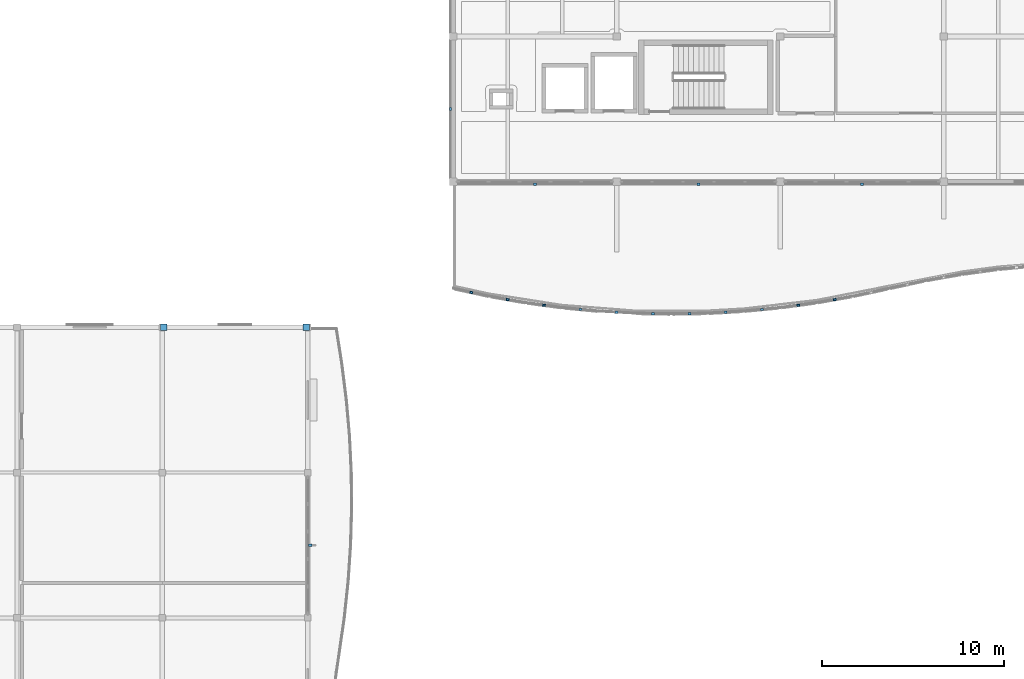
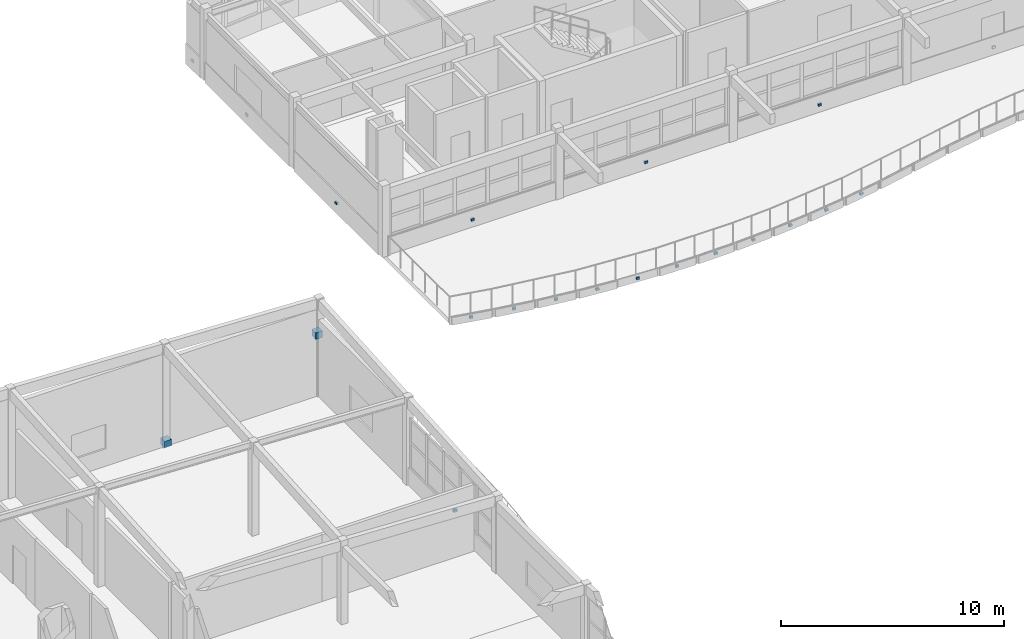
# One storey, part 36 of 52: 18 discrete accessories.
"""IFC4 building model written with IfcOpenShell, lengths in metres."""

from ifc_helpers import new_model, si_unit, direction, frame, origin, origin_2d, place, context, subcontext, project, spatial, rectangle, extrude, material, type_object, element, save


model = new_model("IFC4")

# Units and contexts
model_context = context("Model", 3, precision=1e-05, world=origin(), true_north=direction((0.0, 1.0)))
body_context = subcontext(model_context, "Body", "Model", "MODEL_VIEW")
ifc_project = project(units=[si_unit("LENGTHUNIT", "METRE"), si_unit("AREAUNIT", "SQUARE_METRE"), si_unit("VOLUMEUNIT", "CUBIC_METRE"), si_unit("PLANEANGLEUNIT", "RADIAN"), si_unit("MASSUNIT", "GRAM", prefix="KILO")], contexts=[model_context])

# Site, building, storey
site_placement = place(None, origin())
site = spatial("IfcSite", under=ifc_project, at=site_placement, CompositionType="ELEMENT")
building_placement = place(site_placement, origin())
building = spatial("IfcBuilding", under=site, at=building_placement, Name="Tonlespit Floodbar School", CompositionType="ELEMENT")
storey_placement = place(building_placement, frame((0.0, 0.0, 12.300048828125)))
storey = spatial("IfcBuildingStorey", under=building, at=storey_placement, Name="L03", CompositionType="ELEMENT", Elevation=12.300048828125)

# Discrete accessories
ifc_material_1 = material(Name="Galvanised Steel", Category="steel")
discrete_accessory_type_1 = type_object("IfcDiscreteAccessoryType", Name="Bracket_Facade_S355", PredefinedType="BRACKET", material=ifc_material_1)
for number, where, z_axis, x_axis, name in (
    (1, (66.5, 103.8701171875, 0.35498046875), (0.0, 0.0, 1.0), (-1.0, 0.0, 0.0), "L03 white band support bracket 0255"),
    (2, (57.5, 103.8701171875, 0.35498046875), (0.0, 0.0, 1.0), (-1.0, 0.0, 0.0), "L03 white band support bracket 0256"),
    (3, (48.5, 103.8701171875, 0.35498046875), (0.0, 0.0, 1.0), (-1.0, 0.0, 0.0), "L03 white band support bracket 0257"),
    (4, (43.85009765625, 108.0, 0.3798828125), (0.0, 0.0, 1.0), (0.0, 1.0, 0.0), "L03 white band support bracket 0258"),
    (5, (45.0, 97.91357421875, -0.150146484375), (0.0, 0.0, 1.0), (0.977356843161, -0.21159773422, 0.0), "L03 white band support bracket 0261"),
    (6, (47.0, 97.521240234375, -0.150146484375), (0.0, 0.0, 1.0), (0.984904884962, -0.17309641122, 0.0), "L03 white band support bracket 0262"),
    (7, (49.0, 97.209716796875, -0.150146484375), (0.0, 0.0, 1.0), (0.990898113281, -0.13461400037, 0.0), "L03 white band support bracket 0263"),
    (8, (51.0, 96.977294921875, -0.150146484375), (0.0, 0.0, 1.0), (0.995361841764, -0.096201891669, 0.0), "L03 white band support bracket 0264"),
    (9, (53.0, 96.82275390625, -0.150146484375), (0.0, 0.0, 1.0), (0.998333769428, -0.057703421212, 0.0), "L03 white band support bracket 0265"),
    (10, (55.0, 96.74560546875, -0.150146484375), (0.0, 0.0, 1.0), (0.999814772764, -0.01924630259, 0.0), "L03 white band support bracket 0266"),
    (11, (57.0, 96.74560546875, -0.150146484375), (0.0, 0.0, 1.0), (0.999814772764, 0.01924630259, 0.0), "L03 white band support bracket 0267"),
    (12, (59.0, 96.82275390625, -0.150146484375), (0.0, 0.0, 1.0), (0.998333769428, 0.057703421212, 0.0), "L03 white band support bracket 0268"),
    (13, (61.0, 96.977294921875, -0.150146484375), (0.0, 0.0, 1.0), (0.995361841764, 0.096201891669, 0.0), "L03 white band support bracket 0269"),
    (14, (63.0, 97.209716796875, -0.150146484375), (0.0, 0.0, 1.0), (0.990898113281, 0.13461400037, 0.0), "L03 white band support bracket 0270"),
    (15, (65.0, 97.521240234375, -0.150146484375), (0.0, 0.0, 1.0), (0.984904884962, 0.17309641122, 0.0), "L03 white band support bracket 0271"),
):
    element("IfcDiscreteAccessory", number, at=place(storey_placement, frame(where, z_axis=z_axis, x_axis=x_axis)), inside=storey, type_object=discrete_accessory_type_1, Name=name, PredefinedType="BRACKET", context=body_context, shape_type="SweptSolid", body=[
        extrude(rectangle(XDim=0.159912109375, YDim=0.1201171875, at=origin_2d()), origin(), (0.0, 0.0, 1.0), 0.1201171875),
    ])
discrete_accessory_placement = place(storey_placement, frame((36.132568359375, 84.0, 0.77978515625), z_axis=(0.0, 0.0, 1.0), x_axis=(0.0, -1.0, 0.0)))
element("IfcDiscreteAccessory", 16, at=discrete_accessory_placement, inside=storey, type_object=discrete_accessory_type_1, Name="Solar fin support bracket 182", PredefinedType="BRACKET", context=body_context, shape_type="SweptSolid", body=[
    extrude(rectangle(XDim=0.1201171875, YDim=0.179931640625, at=origin_2d()), origin(), (0.0, 0.0, 1.0), 0.139892578125),
])
ifc_material_2 = material(Name="Steel S355", Category="steel")
discrete_accessory_type_2 = type_object("IfcDiscreteAccessoryType", Name="GussetShoe_Brace_S355", PredefinedType="SHOE", material=ifc_material_2)
for number, where, z_axis, x_axis, name in (
    (17, (28.080078125, 96.0, -0.0302734375), (0.0, 0.0, 1.0), (1.0, 0.0, 0.0), "L03 brace and chord end gusset shoe 0033"),
    (18, (35.919921875, 96.0, 3.169921875), (0.0, 0.0, 1.0), (1.0, 0.0, 0.0), "L03 brace and chord end gusset shoe 0034"),
):
    element("IfcDiscreteAccessory", number, at=place(storey_placement, frame(where, z_axis=z_axis, x_axis=x_axis)), inside=storey, type_object=discrete_accessory_type_2, Name=name, PredefinedType="SHOE", context=body_context, shape_type="SweptSolid", body=[
        extrude(rectangle(XDim=0.360107421875, YDim=0.360107421875, at=origin_2d()), origin(), (0.0, 0.0, 1.0), 0.360107421875),
    ])

save(model, "model.ifc")
